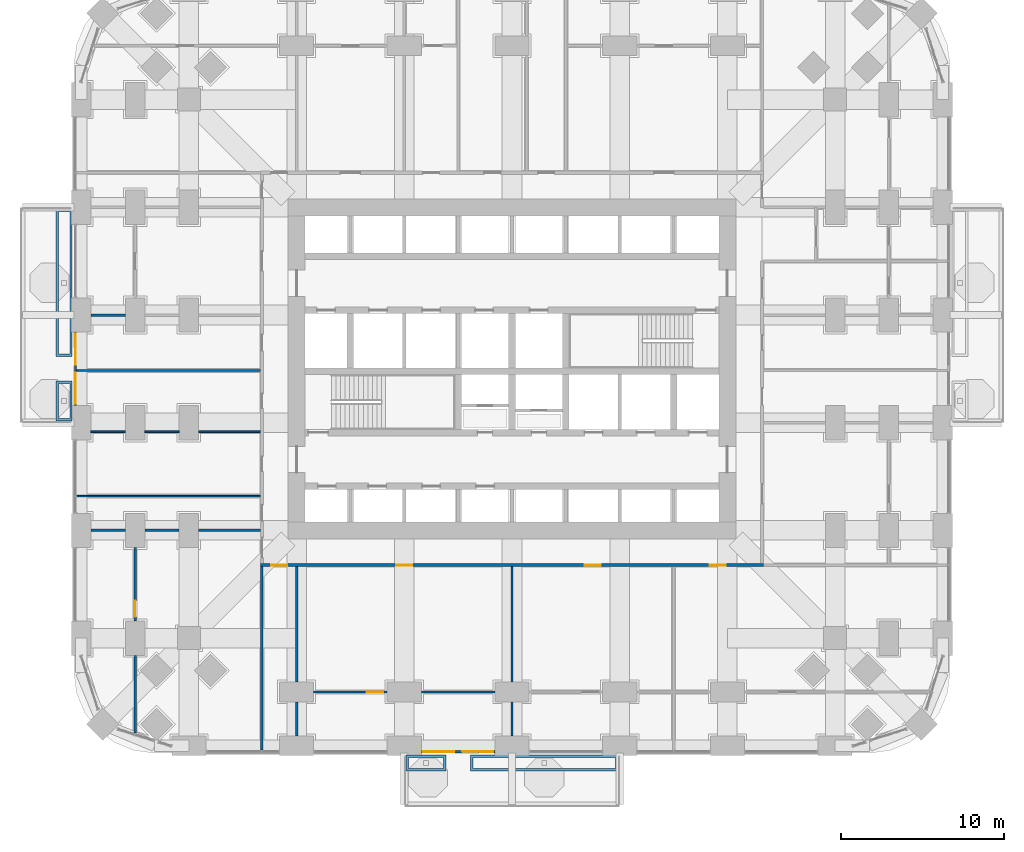
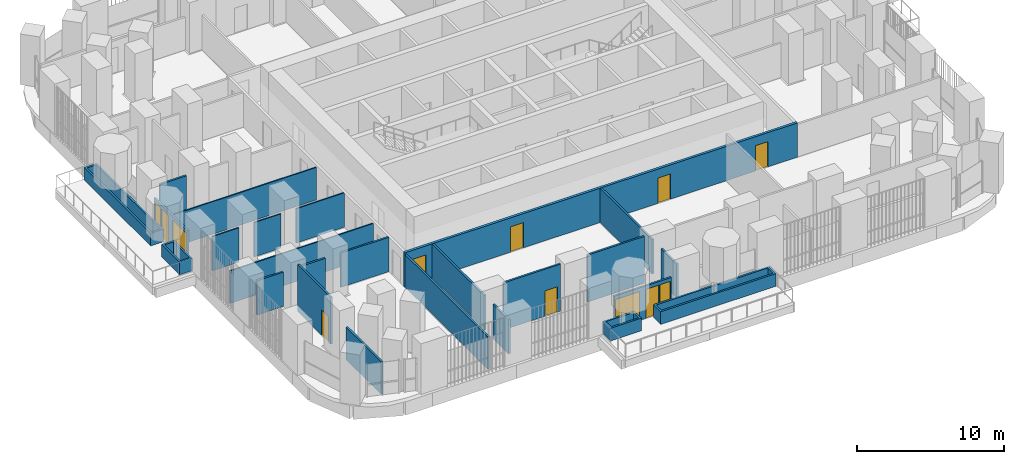
# One storey, part 17 of 26: 25 walls, 8 doors, 4 windows, 12 openings.
"""IFC4 building model written with IfcOpenShell, lengths in metres."""

from ifc_helpers import new_model, si_unit, direction, frame, frame_2d, origin, place, context, subcontext, project, spatial, polyline, rectangle, outline, extrude, material, layer, layer_set, type_object, element, fill, save


model = new_model("IFC4")

# Units and contexts
model_context = context("Model", 3, precision=1e-05, world=origin(), true_north=direction((0.0, 1.0)))
body_context = subcontext(model_context, "Body", "Model", "MODEL_VIEW")
ifc_project = project(units=[si_unit("LENGTHUNIT", "METRE"), si_unit("AREAUNIT", "SQUARE_METRE"), si_unit("VOLUMEUNIT", "CUBIC_METRE"), si_unit("PLANEANGLEUNIT", "RADIAN"), si_unit("MASSUNIT", "GRAM", prefix="KILO")], contexts=[model_context])

# Site, building, storey
site_placement = place(None, origin())
site = spatial("IfcSite", under=ifc_project, at=site_placement, CompositionType="ELEMENT")
building_placement = place(site_placement, origin())
building = spatial("IfcBuilding", under=site, at=building_placement, Name="Cobogo Forest Laboratory Tower", CompositionType="ELEMENT")
storey_placement = place(building_placement, frame((0.0, 0.0, 25.5)))
storey = spatial("IfcBuildingStorey", under=building, at=storey_placement, Name="L05", CompositionType="ELEMENT", Elevation=25.5)

# Wall, openings, door, windows
ifc_material_1 = material(Name="Aluminium framed glazed screen", Category="aluminium")
ifc_layer_1 = layer(ifc_material_1, 0.14990234375)
ifc_layer_set_1 = layer_set([ifc_layer_1], Name="GS1 glazed door screen 150")
wall_type_1 = type_object("IfcWallType", Name="GS1 glazed door screen 150", PredefinedType="SOLIDWALL", material=ifc_layer_set_1)
wall_1_placement = place(storey_placement, frame((20.85009765625, -0.35009765625, 0.0), z_axis=(0.0, 0.0, 1.0), x_axis=(1.0, 0.0, 0.0)))
wall_1 = element("IfcWall", 1, at=wall_1_placement, inside=storey, type_object=wall_type_1, Name="Door screen BAL-S1 L05", PredefinedType="SOLIDWALL", context=body_context, shape_type="SweptSolid", body=[
    extrude(rectangle(XDim=4.5, YDim=0.14990234375, at=frame_2d((2.25, 0.0))), origin(), (0.0, 0.0, 1.0), 2.699951171875),
])
opening_1_placement = place(wall_1_placement, frame((2.5, 0.0, 0.0)))
opening_1 = element("IfcOpeningElement", 2, at=opening_1_placement, cuts=wall_1, Name="Opening L05-D01", PredefinedType="OPENING", context=body_context, shape_type="SweptSolid", body=[
    extrude(rectangle(XDim=1.0, YDim=2.39990234375, at=frame_2d((0.5, 1.199951171875))), frame((0.0, 0.0849609375, 0.0), z_axis=(0.0, -1.0, 0.0), x_axis=(1.0, 0.0, 0.0)), (0.0, 0.0, 1.0), 0.169921875),
])
opening_2_placement = place(wall_1_placement, frame((0.10009765625, 0.0, 0.10009765625)))
opening_2 = element("IfcOpeningElement", 3, at=opening_2_placement, cuts=wall_1, Name="Opening L05-W01", PredefinedType="OPENING", context=body_context, shape_type="SweptSolid", body=[
    extrude(rectangle(XDim=1.89990234375, YDim=2.300048828125, at=frame_2d((0.949951171875, 1.14990234375))), frame((0.0, 0.0849609375, 0.0), z_axis=(0.0, -1.0, 0.0), x_axis=(1.0, 0.0, 0.0)), (0.0, 0.0, 1.0), 0.169921875),
])
opening_3_placement = place(wall_1_placement, frame((3.60009765625, 0.0, 0.10009765625)))
opening_3 = element("IfcOpeningElement", 4, at=opening_3_placement, cuts=wall_1, Name="Opening L05-W02", PredefinedType="OPENING", context=body_context, shape_type="SweptSolid", body=[
    extrude(rectangle(XDim=0.800048828125, YDim=2.300048828125, at=frame_2d((0.39990234375, 1.14990234375))), frame((0.0, 0.0849609375, 0.0), z_axis=(0.0, -1.0, 0.0), x_axis=(1.0, 0.0, 0.0)), (0.0, 0.0, 1.0), 0.169921875),
])
ifc_material_2 = material(Name="Aluminium glazed door", Category="aluminium")
door_type_1 = type_object("IfcDoorType", Name="DB1 balcony door 1000 glazed", OperationType="SINGLE_SWING_LEFT", PredefinedType="DOOR", material=ifc_material_2)
door_1_placement = place(opening_1_placement, origin())
door_1 = element("IfcDoor", 5, at=door_1_placement, inside=storey, type_object=door_type_1, Name="Door L05-BAL-S1", OperationType="SINGLE_SWING_RIGHT", OverallHeight=2.39990234375, OverallWidth=1.0, PredefinedType="DOOR", context=body_context, shape_type="SweptSolid", body=[
    extrude(rectangle(XDim=1.0, YDim=2.39990234375, at=frame_2d((0.5, 1.199951171875))), frame((0.0, 0.02490234375, 0.0), z_axis=(0.0, -1.0, 0.0), x_axis=(1.0, 0.0, 0.0)), (0.0, 0.0, 1.0), 0.050048828125),
])
fill(opening_1, door_1)
ifc_material_3 = material(Name="Aluminium framed glazing", Category="aluminium")
window_type_1 = type_object("IfcWindowType", Name="WG3 fixed glazed light 1900x2300", PartitioningType="SINGLE_PANEL", PredefinedType="WINDOW", material=ifc_material_3)
window_1_placement = place(opening_2_placement, origin())
window_1 = element("IfcWindow", 6, at=window_1_placement, inside=storey, type_object=window_type_1, Name="Window L05-BAL-S1-1", OverallHeight=2.300048828125, OverallWidth=1.89990234375, PartitioningType="SINGLE_PANEL", PredefinedType="WINDOW", context=body_context, shape_type="SweptSolid", body=[
    extrude(rectangle(XDim=1.89990234375, YDim=2.300048828125, at=frame_2d((0.949951171875, 1.14990234375))), frame((0.0, 0.030029296875, 0.0), z_axis=(0.0, -1.0, 0.0), x_axis=(1.0, 0.0, 0.0)), (0.0, 0.0, 1.0), 0.06005859375),
])
fill(opening_2, window_1)
window_type_2 = type_object("IfcWindowType", Name="WG4 fixed glazed light 800x2300", PartitioningType="SINGLE_PANEL", PredefinedType="WINDOW", material=ifc_material_3)
window_2_placement = place(opening_3_placement, origin())
window_2 = element("IfcWindow", 7, at=window_2_placement, inside=storey, type_object=window_type_2, Name="Window L05-BAL-S1-2", OverallHeight=2.300048828125, OverallWidth=0.800048828125, PartitioningType="SINGLE_PANEL", PredefinedType="WINDOW", context=body_context, shape_type="SweptSolid", body=[
    extrude(rectangle(XDim=0.800048828125, YDim=2.300048828125, at=frame_2d((0.39990234375, 1.14990234375))), frame((0.0, 0.030029296875, 0.0), z_axis=(0.0, -1.0, 0.0), x_axis=(1.0, 0.0, 0.0)), (0.0, 0.0, 1.0), 0.06005859375),
])
fill(opening_3, window_2)

wall_2_placement = place(storey_placement, frame((-0.35009765625, 25.35009765625, 0.0), z_axis=(0.0, 0.0, 1.0), x_axis=(0.0, -1.0, 0.0)))
wall_2 = element("IfcWall", 8, at=wall_2_placement, inside=storey, type_object=wall_type_1, Name="Door screen BAL-W1 L05", PredefinedType="SOLIDWALL", context=body_context, shape_type="SweptSolid", body=[
    extrude(rectangle(XDim=4.5, YDim=0.14990234375, at=frame_2d((2.25, 0.0))), origin(), (0.0, 0.0, 1.0), 2.699951171875),
])
opening_4_placement = place(wall_2_placement, frame((1.0, 0.0, 0.0)))
opening_4 = element("IfcOpeningElement", 9, at=opening_4_placement, cuts=wall_2, Name="Opening L05-D24", PredefinedType="OPENING", context=body_context, shape_type="SweptSolid", body=[
    extrude(rectangle(XDim=1.0, YDim=2.39990234375, at=frame_2d((0.5, 1.199951171875))), frame((0.0, 0.0849609375, 0.0), z_axis=(0.0, -1.0, 0.0), x_axis=(1.0, 0.0, 0.0)), (0.0, 0.0, 1.0), 0.169921875),
])
opening_5_placement = place(wall_2_placement, frame((0.10009765625, 0.0, 0.10009765625)))
opening_5 = element("IfcOpeningElement", 10, at=opening_5_placement, cuts=wall_2, Name="Opening L05-W05", PredefinedType="OPENING", context=body_context, shape_type="SweptSolid", body=[
    extrude(rectangle(XDim=0.800048828125, YDim=2.300048828125, at=frame_2d((0.39990234375, 1.14990234375))), frame((0.0, 0.0849609375, 0.0), z_axis=(0.0, -1.0, 0.0), x_axis=(1.0, 0.0, 0.0)), (0.0, 0.0, 1.0), 0.169921875),
])
opening_6_placement = place(wall_2_placement, frame((2.5, 0.0, 0.10009765625)))
opening_6 = element("IfcOpeningElement", 11, at=opening_6_placement, cuts=wall_2, Name="Opening L05-W03", PredefinedType="OPENING", context=body_context, shape_type="SweptSolid", body=[
    extrude(rectangle(XDim=1.89990234375, YDim=2.300048828125, at=frame_2d((0.949951171875, 1.14990234375))), frame((0.0, 0.0849609375, 0.0), z_axis=(0.0, -1.0, 0.0), x_axis=(1.0, 0.0, 0.0)), (0.0, 0.0, 1.0), 0.169921875),
])
door_2_placement = place(opening_4_placement, origin())
door_2 = element("IfcDoor", 12, at=door_2_placement, inside=storey, type_object=door_type_1, Name="Door L05-BAL-W1", OperationType="SINGLE_SWING_LEFT", OverallHeight=2.39990234375, OverallWidth=1.0, PredefinedType="DOOR", context=body_context, shape_type="SweptSolid", body=[
    extrude(rectangle(XDim=1.0, YDim=2.39990234375, at=frame_2d((0.5, 1.199951171875))), frame((0.0, 0.02490234375, 0.0), z_axis=(0.0, -1.0, 0.0), x_axis=(1.0, 0.0, 0.0)), (0.0, 0.0, 1.0), 0.050048828125),
])
fill(opening_4, door_2)
window_3_placement = place(opening_6_placement, origin())
window_3 = element("IfcWindow", 13, at=window_3_placement, inside=storey, type_object=window_type_1, Name="Window L05-BAL-W1-2", OverallHeight=2.300048828125, OverallWidth=1.89990234375, PartitioningType="SINGLE_PANEL", PredefinedType="WINDOW", context=body_context, shape_type="SweptSolid", body=[
    extrude(rectangle(XDim=1.89990234375, YDim=2.300048828125, at=frame_2d((0.949951171875, 1.14990234375))), frame((0.0, 0.030029296875, 0.0), z_axis=(0.0, -1.0, 0.0), x_axis=(1.0, 0.0, 0.0)), (0.0, 0.0, 1.0), 0.06005859375),
])
fill(opening_6, window_3)
window_4_placement = place(opening_5_placement, origin())
window_4 = element("IfcWindow", 14, at=window_4_placement, inside=storey, type_object=window_type_2, Name="Window L05-BAL-W1-1", OverallHeight=2.300048828125, OverallWidth=0.800048828125, PartitioningType="SINGLE_PANEL", PredefinedType="WINDOW", context=body_context, shape_type="SweptSolid", body=[
    extrude(rectangle(XDim=0.800048828125, YDim=2.300048828125, at=frame_2d((0.39990234375, 1.14990234375))), frame((0.0, 0.030029296875, 0.0), z_axis=(0.0, -1.0, 0.0), x_axis=(1.0, 0.0, 0.0)), (0.0, 0.0, 1.0), 0.06005859375),
])
fill(opening_5, window_4)

# Wall
ifc_material_4 = material(Name="Gypsum board on steel studs", Category="steel")
ifc_layer_2 = layer(ifc_material_4, 0.14990234375)
ifc_layer_set_2 = layer_set([ifc_layer_2], Name="PT1 laboratory partition 150")
wall_type_2 = type_object("IfcWallType", Name="PT1 laboratory partition 150", PredefinedType="PARTITIONING", material=ifc_layer_set_2)
wall_3_placement = place(storey_placement, frame((11.074951171875, -0.27001953125, 0.0), z_axis=(0.0, 0.0, 1.0), x_axis=(0.0, 1.0, 0.0)))
element("IfcWall", 15, at=wall_3_placement, inside=storey, type_object=wall_type_2, Name="Partition PW-SW L05", PredefinedType="PARTITIONING", context=body_context, shape_type="SweptSolid", body=[
    extrude(rectangle(XDim=11.2451171875, YDim=0.14990234375, at=frame_2d((5.62255859375, 0.0))), origin(), (0.0, 0.0, 1.0), 2.699951171875),
])

# Wall, opening, door
wall_4_placement = place(storey_placement, frame((14.25, 3.300048828125, 0.0), z_axis=(0.0, 0.0, 1.0), x_axis=(1.0, 0.0, 0.0)))
wall_4 = element("IfcWall", 16, at=wall_4_placement, inside=storey, type_object=wall_type_2, Name="Partition STRIP-S-1 L05", PredefinedType="PARTITIONING", context=body_context, shape_type="SweptSolid", body=[
    extrude(rectangle(XDim=4.5, YDim=0.14990234375, at=frame_2d((2.25, 0.0))), origin(), (0.0, 0.0, 1.0), 3.89990234375),
])
opening_7_placement = place(wall_4_placement, frame((3.25, 0.0, 0.0)))
opening_7 = element("IfcOpeningElement", 17, at=opening_7_placement, cuts=wall_4, Name="Opening L05-D02", PredefinedType="OPENING", context=body_context, shape_type="SweptSolid", body=[
    extrude(rectangle(XDim=1.0, YDim=2.10009765625, at=frame_2d((0.5, 1.050048828125))), frame((0.0, 0.0849609375, 0.0), z_axis=(0.0, -1.0, 0.0), x_axis=(1.0, 0.0, 0.0)), (0.0, 0.0, 1.0), 0.169921875),
])
ifc_material_5 = material(Name="Timber fire door", Category="wood")
door_type_2 = type_object("IfcDoorType", Name="FD2 fire door 1000 EI2 30", OperationType="SINGLE_SWING_LEFT", PredefinedType="DOOR", material=ifc_material_5)
door_3_placement = place(opening_7_placement, origin())
door_3 = element("IfcDoor", 18, at=door_3_placement, inside=storey, type_object=door_type_2, Name="Door L05-S2W", OperationType="SINGLE_SWING_RIGHT", OverallHeight=2.10009765625, OverallWidth=1.0, PredefinedType="DOOR", context=body_context, shape_type="SweptSolid", body=[
    extrude(rectangle(XDim=1.0, YDim=2.10009765625, at=frame_2d((0.5, 1.050048828125))), frame((0.0, 0.02490234375, 0.0), z_axis=(0.0, -1.0, 0.0), x_axis=(1.0, 0.0, 0.0)), (0.0, 0.0, 1.0), 0.050048828125),
])
fill(opening_7, door_3)

# Walls
wall_5_placement = place(storey_placement, frame((20.85009765625, 3.300048828125, 0.0), z_axis=(0.0, 0.0, 1.0), x_axis=(1.0, 0.0, 0.0)))
element("IfcWall", 19, at=wall_5_placement, inside=storey, type_object=wall_type_2, Name="Partition STRIP-S-2 L05", PredefinedType="PARTITIONING", context=body_context, shape_type="SweptSolid", body=[
    extrude(rectangle(XDim=4.5, YDim=0.14990234375, at=frame_2d((2.25, 0.0))), origin(), (0.0, 0.0, 1.0), 3.89990234375),
])
wall_6_placement = place(storey_placement, frame((13.199951171875, 0.60009765625, 0.0), z_axis=(0.0, 0.0, 1.0), x_axis=(0.0, 1.0, 0.0)))
element("IfcWall", 20, at=wall_6_placement, inside=storey, type_object=wall_type_2, Name="Partition CUT-S13.2-1 L05", PredefinedType="PARTITIONING", context=body_context, shape_type="SweptSolid", body=[
    extrude(rectangle(XDim=2.099853515625, YDim=0.14990234375, at=frame_2d((1.0498046875, 0.0))), origin(), (0.0, 0.0, 1.0), 2.85009765625),
])
wall_7_placement = place(storey_placement, frame((13.199951171875, 3.89990234375, 0.0), z_axis=(0.0, 0.0, 1.0), x_axis=(0.0, 1.0, 0.0)))
element("IfcWall", 21, at=wall_7_placement, inside=storey, type_object=wall_type_2, Name="Partition CUT-S13.2-2 L05", PredefinedType="PARTITIONING", context=body_context, shape_type="SweptSolid", body=[
    extrude(rectangle(XDim=7.0751953125, YDim=0.14990234375, at=frame_2d((3.53759765625, 0.0))), origin(), (0.0, 0.0, 1.0), 2.85009765625),
])
wall_8_placement = place(storey_placement, frame((26.39990234375, 0.60009765625, 0.0), z_axis=(0.0, 0.0, 1.0), x_axis=(0.0, 1.0, 0.0)))
element("IfcWall", 22, at=wall_8_placement, inside=storey, type_object=wall_type_2, Name="Partition CUT-S26.4a-1 L05", PredefinedType="PARTITIONING", context=body_context, shape_type="SweptSolid", body=[
    extrude(rectangle(XDim=2.099853515625, YDim=0.14990234375, at=frame_2d((1.0498046875, 0.0))), origin(), (0.0, 0.0, 1.0), 2.85009765625),
])
wall_9_placement = place(storey_placement, frame((26.39990234375, 3.89990234375, 0.0), z_axis=(0.0, 0.0, 1.0), x_axis=(0.0, 1.0, 0.0)))
element("IfcWall", 23, at=wall_9_placement, inside=storey, type_object=wall_type_2, Name="Partition CUT-S26.4b-1 L05", PredefinedType="PARTITIONING", context=body_context, shape_type="SweptSolid", body=[
    extrude(rectangle(XDim=7.0751953125, YDim=0.14990234375, at=frame_2d((3.53759765625, 0.0))), origin(), (0.0, 0.0, 1.0), 2.85009765625),
])

# Wall, opening, door
wall_10_placement = place(storey_placement, frame((3.300048828125, 12.14990234375, 0.0), z_axis=(0.0, 0.0, 1.0), x_axis=(0.0, -1.0, 0.0)))
wall_10 = element("IfcWall", 24, at=wall_10_placement, inside=storey, type_object=wall_type_2, Name="Partition STRIP-W-2 L05", PredefinedType="PARTITIONING", context=body_context, shape_type="SweptSolid", body=[
    extrude(rectangle(XDim=4.5, YDim=0.14990234375, at=frame_2d((2.25, 0.0))), origin(), (0.0, 0.0, 1.0), 3.89990234375),
])
opening_8_placement = place(wall_10_placement, frame((3.25, 0.0, 0.0)))
opening_8 = element("IfcOpeningElement", 25, at=opening_8_placement, cuts=wall_10, Name="Opening L05-D05", PredefinedType="OPENING", context=body_context, shape_type="SweptSolid", body=[
    extrude(rectangle(XDim=1.0, YDim=2.10009765625, at=frame_2d((0.5, 1.050048828125))), frame((0.0, 0.0849609375, 0.0), z_axis=(0.0, -1.0, 0.0), x_axis=(1.0, 0.0, 0.0)), (0.0, 0.0, 1.0), 0.169921875),
])
door_4_placement = place(opening_8_placement, origin())
door_4 = element("IfcDoor", 26, at=door_4_placement, inside=storey, type_object=door_type_2, Name="Door L05-W1W", OperationType="SINGLE_SWING_RIGHT", OverallHeight=2.10009765625, OverallWidth=1.0, PredefinedType="DOOR", context=body_context, shape_type="SweptSolid", body=[
    extrude(rectangle(XDim=1.0, YDim=2.10009765625, at=frame_2d((0.5, 1.050048828125))), frame((0.0, 0.02490234375, 0.0), z_axis=(0.0, -1.0, 0.0), x_axis=(1.0, 0.0, 0.0)), (0.0, 0.0, 1.0), 0.050048828125),
])
fill(opening_8, door_4)

# Walls
wall_11_placement = place(storey_placement, frame((3.300048828125, 5.550048828125, 0.0), z_axis=(0.0, 0.0, 1.0), x_axis=(0.0, -1.0, 0.0)))
element("IfcWall", 27, at=wall_11_placement, inside=storey, type_object=wall_type_2, Name="Partition STRIP-W-3 L05", PredefinedType="PARTITIONING", context=body_context, shape_type="SweptSolid", body=[
    extrude(rectangle(XDim=4.77392578125, YDim=0.14990234375, at=frame_2d((2.386962890625, 0.0))), origin(), (0.0, 0.0, 1.0), 2.699951171875),
])
wall_12_placement = place(storey_placement, frame((0.60009765625, 13.199951171875, 0.0), z_axis=(0.0, 0.0, 1.0), x_axis=(1.0, 0.0, 0.0)))
element("IfcWall", 28, at=wall_12_placement, inside=storey, type_object=wall_type_2, Name="Partition CUT-W13.2-1 L05", PredefinedType="PARTITIONING", context=body_context, shape_type="SweptSolid", body=[
    extrude(rectangle(XDim=2.099853515625, YDim=0.14990234375, at=frame_2d((1.0498046875, 0.0))), origin(), (0.0, 0.0, 1.0), 2.85009765625),
])
wall_13_placement = place(storey_placement, frame((3.89990234375, 13.199951171875, 0.0), z_axis=(0.0, 0.0, 1.0), x_axis=(1.0, 0.0, 0.0)))
element("IfcWall", 29, at=wall_13_placement, inside=storey, type_object=wall_type_2, Name="Partition CUT-W13.2-2 L05", PredefinedType="PARTITIONING", context=body_context, shape_type="SweptSolid", body=[
    extrude(rectangle(XDim=2.10009765625, YDim=0.14990234375, at=frame_2d((1.050048828125, 0.0))), origin(), (0.0, 0.0, 1.0), 2.85009765625),
])
wall_14_placement = place(storey_placement, frame((7.199951171875, 13.199951171875, 0.0), z_axis=(0.0, 0.0, 1.0), x_axis=(1.0, 0.0, 0.0)))
element("IfcWall", 30, at=wall_14_placement, inside=storey, type_object=wall_type_2, Name="Partition CUT-W13.2-3 L05", PredefinedType="PARTITIONING", context=body_context, shape_type="SweptSolid", body=[
    extrude(rectangle(XDim=3.775146484375, YDim=0.14990234375, at=frame_2d((1.8876953125, 0.0))), origin(), (0.0, 0.0, 1.0), 2.85009765625),
])
wall_15_placement = place(storey_placement, frame((0.60009765625, 26.39990234375, 0.0), z_axis=(0.0, 0.0, 1.0), x_axis=(1.0, 0.0, 0.0)))
element("IfcWall", 31, at=wall_15_placement, inside=storey, type_object=wall_type_2, Name="Partition CUT-W26.4-1 L05", PredefinedType="PARTITIONING", context=body_context, shape_type="SweptSolid", body=[
    extrude(rectangle(XDim=2.099853515625, YDim=0.14990234375, at=frame_2d((1.0498046875, 0.0))), origin(), (0.0, 0.0, 1.0), 2.85009765625),
])

# Wall, openings, doors
ifc_layer_3 = layer(ifc_material_4, 0.199951171875)
ifc_layer_set_3 = layer_set([ifc_layer_3], Name="PT2 fire-rated corridor partition 200")
wall_type_3 = type_object("IfcWallType", Name="PT2 fire-rated corridor partition 200", PredefinedType="PARTITIONING", material=ifc_layer_set_3)
wall_16_placement = place(storey_placement, frame((10.97509765625, 11.074951171875, 0.0), z_axis=(0.0, 0.0, 1.0), x_axis=(1.0, 0.0, 0.0)))
wall_16 = element("IfcWall", 32, at=wall_16_placement, inside=storey, type_object=wall_type_3, Name="Partition CORR-S L05", PredefinedType="PARTITIONING", context=body_context, shape_type="SweptSolid", body=[
    extrude(rectangle(XDim=30.849853515625, YDim=0.199951171875, at=frame_2d((15.4248046875, 0.0))), origin(), (0.0, 0.0, 1.0), 2.85009765625),
])
opening_9_placement = place(wall_16_placement, frame((0.66259765625, 0.0, 0.0)))
opening_9 = element("IfcOpeningElement", 33, at=opening_9_placement, cuts=wall_16, Name="Opening L05-D06", PredefinedType="OPENING", context=body_context, shape_type="SweptSolid", body=[
    extrude(rectangle(XDim=1.0, YDim=2.10009765625, at=frame_2d((0.5, 1.050048828125))), frame((0.0, 0.10986328125, 0.0), z_axis=(0.0, -1.0, 0.0), x_axis=(1.0, 0.0, 0.0)), (0.0, 0.0, 1.0), 0.219970703125),
])
opening_10_placement = place(wall_16_placement, frame((8.324951171875, 0.0, 0.0)))
opening_10 = element("IfcOpeningElement", 34, at=opening_10_placement, cuts=wall_16, Name="Opening L05-D07", PredefinedType="OPENING", context=body_context, shape_type="SweptSolid", body=[
    extrude(rectangle(XDim=1.0, YDim=2.10009765625, at=frame_2d((0.5, 1.050048828125))), frame((0.0, 0.10986328125, 0.0), z_axis=(0.0, -1.0, 0.0), x_axis=(1.0, 0.0, 0.0)), (0.0, 0.0, 1.0), 0.219970703125),
])
opening_11_placement = place(wall_16_placement, frame((19.875, 0.0, 0.0)))
opening_11 = element("IfcOpeningElement", 35, at=opening_11_placement, cuts=wall_16, Name="Opening L05-D08", PredefinedType="OPENING", context=body_context, shape_type="SweptSolid", body=[
    extrude(rectangle(XDim=1.0, YDim=2.10009765625, at=frame_2d((0.5, 1.050048828125))), frame((0.0, 0.10986328125, 0.0), z_axis=(0.0, -1.0, 0.0), x_axis=(1.0, 0.0, 0.0)), (0.0, 0.0, 1.0), 0.219970703125),
])
opening_12_placement = place(wall_16_placement, frame((27.53759765625, 0.0, 0.0)))
opening_12 = element("IfcOpeningElement", 36, at=opening_12_placement, cuts=wall_16, Name="Opening L05-D09", PredefinedType="OPENING", context=body_context, shape_type="SweptSolid", body=[
    extrude(rectangle(XDim=1.0, YDim=2.10009765625, at=frame_2d((0.5, 1.050048828125))), frame((0.0, 0.10986328125, 0.0), z_axis=(0.0, -1.0, 0.0), x_axis=(1.0, 0.0, 0.0)), (0.0, 0.0, 1.0), 0.219970703125),
])
door_5_placement = place(opening_9_placement, origin())
door_5 = element("IfcDoor", 37, at=door_5_placement, inside=storey, type_object=door_type_2, Name="Door L05-S1", OperationType="SINGLE_SWING_LEFT", OverallHeight=2.10009765625, OverallWidth=1.0, PredefinedType="DOOR", context=body_context, shape_type="SweptSolid", body=[
    extrude(rectangle(XDim=1.0, YDim=2.10009765625, at=frame_2d((0.5, 1.050048828125))), frame((0.0, 0.02490234375, 0.0), z_axis=(0.0, -1.0, 0.0), x_axis=(1.0, 0.0, 0.0)), (0.0, 0.0, 1.0), 0.050048828125),
])
fill(opening_9, door_5)
door_6_placement = place(opening_10_placement, origin())
door_6 = element("IfcDoor", 38, at=door_6_placement, inside=storey, type_object=door_type_2, Name="Door L05-S2", OperationType="SINGLE_SWING_LEFT", OverallHeight=2.10009765625, OverallWidth=1.0, PredefinedType="DOOR", context=body_context, shape_type="SweptSolid", body=[
    extrude(rectangle(XDim=1.0, YDim=2.10009765625, at=frame_2d((0.5, 1.050048828125))), frame((0.0, 0.02490234375, 0.0), z_axis=(0.0, -1.0, 0.0), x_axis=(1.0, 0.0, 0.0)), (0.0, 0.0, 1.0), 0.050048828125),
])
fill(opening_10, door_6)
door_7_placement = place(opening_11_placement, origin())
door_7 = element("IfcDoor", 39, at=door_7_placement, inside=storey, type_object=door_type_2, Name="Door L05-S3", OperationType="SINGLE_SWING_RIGHT", OverallHeight=2.10009765625, OverallWidth=1.0, PredefinedType="DOOR", context=body_context, shape_type="SweptSolid", body=[
    extrude(rectangle(XDim=1.0, YDim=2.10009765625, at=frame_2d((0.5, 1.050048828125))), frame((0.0, 0.02490234375, 0.0), z_axis=(0.0, -1.0, 0.0), x_axis=(1.0, 0.0, 0.0)), (0.0, 0.0, 1.0), 0.050048828125),
])
fill(opening_11, door_7)
door_8_placement = place(opening_12_placement, origin())
door_8 = element("IfcDoor", 40, at=door_8_placement, inside=storey, type_object=door_type_2, Name="Door L05-S4", OperationType="SINGLE_SWING_RIGHT", OverallHeight=2.10009765625, OverallWidth=1.0, PredefinedType="DOOR", context=body_context, shape_type="SweptSolid", body=[
    extrude(rectangle(XDim=1.0, YDim=2.10009765625, at=frame_2d((0.5, 1.050048828125))), frame((0.0, 0.02490234375, 0.0), z_axis=(0.0, -1.0, 0.0), x_axis=(1.0, 0.0, 0.0)), (0.0, 0.0, 1.0), 0.050048828125),
])
fill(opening_12, door_8)

# Walls
ifc_layer_4 = layer(ifc_material_4, 0.10009765625)
ifc_layer_set_4 = layer_set([ifc_layer_4], Name="PT3 toilet partition 100")
wall_type_4 = type_object("IfcWallType", Name="PT3 toilet partition 100", PredefinedType="PARTITIONING", material=ifc_layer_set_4)
wall_17_placement = place(storey_placement, frame((-0.27001953125, 15.300048828125, 0.0), z_axis=(0.0, 0.0, 1.0), x_axis=(1.0, 0.0, 0.0)))
element("IfcWall", 41, at=wall_17_placement, inside=storey, type_object=wall_type_4, Name="Partition SVC-W1-1 L05", PredefinedType="PARTITIONING", context=body_context, shape_type="SweptSolid", body=[
    extrude(rectangle(XDim=11.2451171875, YDim=0.10009765625, at=frame_2d((5.62255859375, 0.0))), origin(), (0.0, 0.0, 1.0), 2.699951171875),
])
wall_18_placement = place(storey_placement, frame((0.60009765625, 19.25, 0.0), z_axis=(0.0, 0.0, 1.0), x_axis=(1.0, 0.0, 0.0)))
element("IfcWall", 42, at=wall_18_placement, inside=storey, type_object=wall_type_4, Name="Partition SVC-W2-1 L05", PredefinedType="PARTITIONING", context=body_context, shape_type="SweptSolid", body=[
    extrude(rectangle(XDim=2.099853515625, YDim=0.10009765625, at=frame_2d((1.0498046875, 0.0))), origin(), (0.0, 0.0, 1.0), 2.85009765625),
])
wall_19_placement = place(storey_placement, frame((3.89990234375, 19.25, 0.0), z_axis=(0.0, 0.0, 1.0), x_axis=(1.0, 0.0, 0.0)))
element("IfcWall", 43, at=wall_19_placement, inside=storey, type_object=wall_type_4, Name="Partition SVC-W2-2 L05", PredefinedType="PARTITIONING", context=body_context, shape_type="SweptSolid", body=[
    extrude(rectangle(XDim=2.10009765625, YDim=0.10009765625, at=frame_2d((1.050048828125, 0.0))), origin(), (0.0, 0.0, 1.0), 2.85009765625),
])
wall_20_placement = place(storey_placement, frame((7.199951171875, 19.25, 0.0), z_axis=(0.0, 0.0, 1.0), x_axis=(1.0, 0.0, 0.0)))
element("IfcWall", 44, at=wall_20_placement, inside=storey, type_object=wall_type_4, Name="Partition SVC-W2-3 L05", PredefinedType="PARTITIONING", context=body_context, shape_type="SweptSolid", body=[
    extrude(rectangle(XDim=3.775146484375, YDim=0.10009765625, at=frame_2d((1.8876953125, 0.0))), origin(), (0.0, 0.0, 1.0), 2.85009765625),
])
wall_21_placement = place(storey_placement, frame((-0.27001953125, 23.0, 0.0), z_axis=(0.0, 0.0, 1.0), x_axis=(1.0, 0.0, 0.0)))
element("IfcWall", 45, at=wall_21_placement, inside=storey, type_object=wall_type_4, Name="Partition SVC-W3-1 L05", PredefinedType="PARTITIONING", context=body_context, shape_type="SweptSolid", body=[
    extrude(rectangle(XDim=11.2451171875, YDim=0.10009765625, at=frame_2d((5.62255859375, 0.0))), origin(), (0.0, 0.0, 1.0), 2.699951171875),
])
ifc_material_6 = material(Name="Concrete HA-40 (C40/50)", Category="concrete")
ifc_layer_5 = layer(ifc_material_6, 0.14990234375)
ifc_layer_set_5 = layer_set([ifc_layer_5], Name="Planter box 1000x1050")
wall_type_5 = type_object("IfcWallType", Name="Planter box 1000x1050", PredefinedType="USERDEFINED", material=ifc_layer_set_5)
wall_22_placement = place(storey_placement, origin())
element("IfcWall", 46, at=wall_22_placement, inside=storey, type_object=wall_type_5, Name="Planter BAL-S1-1 L05", ObjectType="PLANTER", PredefinedType="USERDEFINED", context=body_context, shape_type="SweptSolid", body=[
    extrude(outline(polyline([(19.89990234375, -1.550048828125), (22.35009765625, -1.550048828125), (22.35009765625, -0.550048828125), (19.89990234375, -0.550048828125), (19.89990234375, -1.550048828125)]), holes=[polyline([(20.050048828125, -1.39990234375), (22.199951171875, -1.39990234375), (22.199951171875, -0.699951171875), (20.050048828125, -0.699951171875), (20.050048828125, -1.39990234375)])]), origin(), (0.0, 0.0, 1.0), 1.050048828125),
])
wall_23_placement = place(storey_placement, origin())
element("IfcWall", 47, at=wall_23_placement, inside=storey, type_object=wall_type_5, Name="Planter BAL-S1-2 L05", ObjectType="PLANTER", PredefinedType="USERDEFINED", context=body_context, shape_type="SweptSolid", body=[
    extrude(outline(polyline([(23.85009765625, -1.550048828125), (32.89990234375, -1.550048828125), (32.89990234375, -0.550048828125), (23.85009765625, -0.550048828125), (23.85009765625, -1.550048828125)]), holes=[polyline([(24.0, -1.39990234375), (32.75, -1.39990234375), (32.75, -0.699951171875), (24.0, -0.699951171875), (24.0, -1.39990234375)])]), origin(), (0.0, 0.0, 1.0), 1.050048828125),
])
wall_24_placement = place(storey_placement, origin())
element("IfcWall", 48, at=wall_24_placement, inside=storey, type_object=wall_type_5, Name="Planter BAL-W1-1 L05", ObjectType="PLANTER", PredefinedType="USERDEFINED", context=body_context, shape_type="SweptSolid", body=[
    extrude(outline(polyline([(-1.550048828125, 19.89990234375), (-0.550048828125, 19.89990234375), (-0.550048828125, 22.35009765625), (-1.550048828125, 22.35009765625), (-1.550048828125, 19.89990234375)]), holes=[polyline([(-1.39990234375, 20.050048828125), (-0.699951171875, 20.050048828125), (-0.699951171875, 22.199951171875), (-1.39990234375, 22.199951171875), (-1.39990234375, 20.050048828125)])]), origin(), (0.0, 0.0, 1.0), 1.050048828125),
])
wall_25_placement = place(storey_placement, origin())
element("IfcWall", 49, at=wall_25_placement, inside=storey, type_object=wall_type_5, Name="Planter BAL-W1-2 L05", ObjectType="PLANTER", PredefinedType="USERDEFINED", context=body_context, shape_type="SweptSolid", body=[
    extrude(outline(polyline([(-1.550048828125, 23.85009765625), (-0.550048828125, 23.85009765625), (-0.550048828125, 32.89990234375), (-1.550048828125, 32.89990234375), (-1.550048828125, 23.85009765625)]), holes=[polyline([(-1.39990234375, 24.0), (-0.699951171875, 24.0), (-0.699951171875, 32.75), (-1.39990234375, 32.75), (-1.39990234375, 24.0)])]), origin(), (0.0, 0.0, 1.0), 1.050048828125),
])

save(model, "model.ifc")
